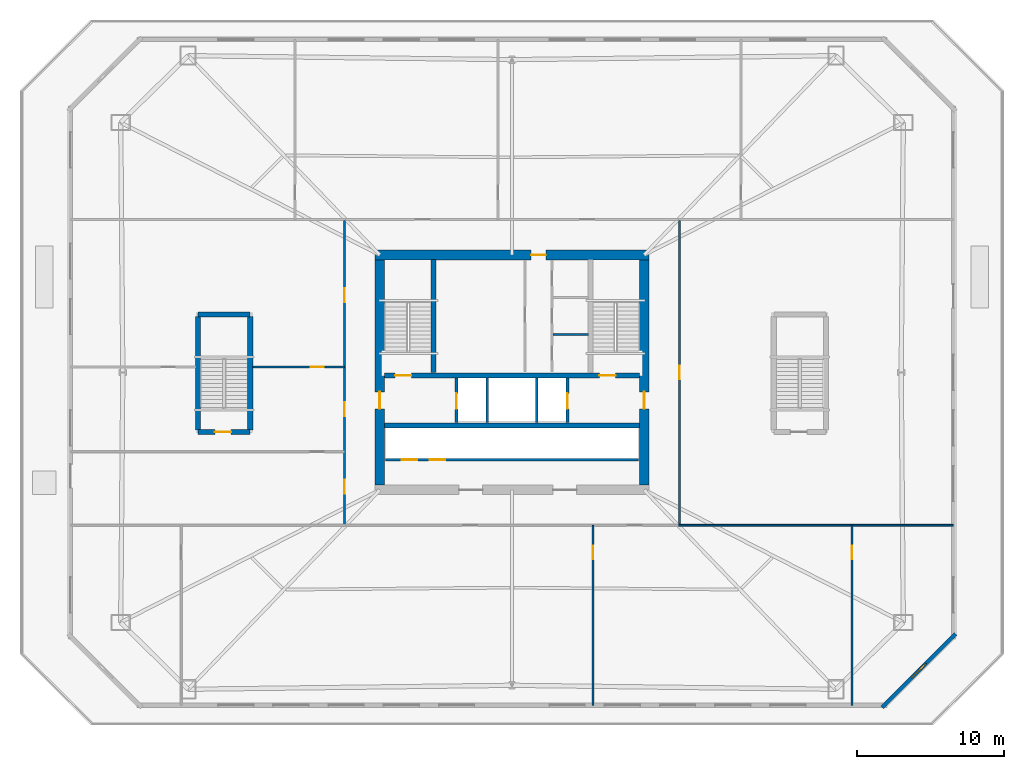
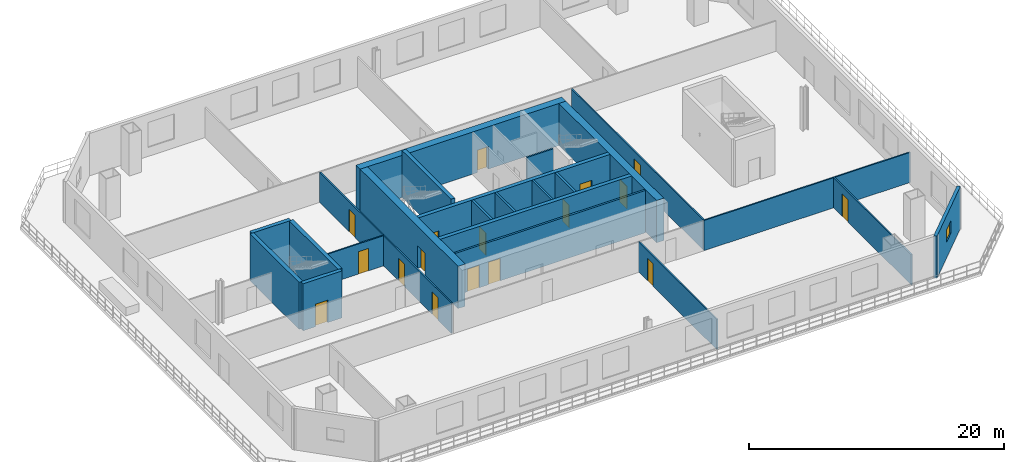
# One storey, part 3 of 8: 23 walls, 17 doors, 1 window, 18 openings.
"""IFC4 building model written with IfcOpenShell, lengths in metres."""

from ifc_helpers import new_model, si_unit, direction, frame, frame_2d, origin, place, context, subcontext, project, spatial, rectangle, extrude, material, layer, layer_set, type_object, element, fill, save


model = new_model("IFC4")

# Units and contexts
model_context = context("Model", 3, precision=1e-05, world=origin(), true_north=direction((0.0, 1.0)))
body_context = subcontext(model_context, "Body", "Model", "MODEL_VIEW")
ifc_project = project(units=[si_unit("LENGTHUNIT", "METRE"), si_unit("AREAUNIT", "SQUARE_METRE"), si_unit("VOLUMEUNIT", "CUBIC_METRE"), si_unit("PLANEANGLEUNIT", "RADIAN"), si_unit("MASSUNIT", "GRAM", prefix="KILO")], contexts=[model_context])

# Site, building, storey
site_placement = place(None, origin())
site = spatial("IfcSite", under=ifc_project, at=site_placement, CompositionType="ELEMENT")
building_placement = place(site_placement, origin())
building = spatial("IfcBuilding", under=site, at=building_placement, Name="Caelvoria Tower", CompositionType="ELEMENT")
storey_placement = place(building_placement, frame((0.0, 0.0, 18.5)))
storey = spatial("IfcBuildingStorey", under=building, at=storey_placement, Name="L04", CompositionType="ELEMENT", Elevation=18.5)

# Wall, openings, doors
ifc_material_1 = material(Name="Concrete C50/60", Category="concrete")
ifc_layer_1 = layer(ifc_material_1, 0.35009765625, Name="Concrete C50/60")
ifc_layer_set_1 = layer_set([ifc_layer_1], Name="Core Internal Shear Wall 350 - Concrete C50/60")
wall_type_1 = type_object("IfcWallType", Name="Core Internal Shear Wall 350", PredefinedType="SHEAR", material=ifc_layer_set_1)
wall_1_placement = place(storey_placement, frame((37.324951171875, 31.800048828125, 0.0), z_axis=(0.0, 0.0, 1.0), x_axis=(1.0, 0.0, 0.0)))
wall_1 = element("IfcWall", 1, at=wall_1_placement, inside=storey, type_object=wall_type_1, Name="Core Shear Wall L04 M1", PredefinedType="SHEAR", context=body_context, shape_type="SweptSolid", body=[
    extrude(rectangle(XDim=17.35009765625, YDim=0.35009765625, at=frame_2d((8.675048828125, 0.0))), origin(), (0.0, 0.0, 1.0), 4.050048828125),
])
opening_1_placement = place(wall_1_placement, frame((0.72509765625, 0.0, 0.0)))
opening_1 = element("IfcOpeningElement", 2, at=opening_1_placement, cuts=wall_1, Name="Opening ID-01", PredefinedType="OPENING", context=body_context, shape_type="SweptSolid", body=[
    extrude(rectangle(XDim=1.10009765625, YDim=2.14990234375, at=frame_2d((0.550048828125, 1.074951171875))), frame((0.0, 0.18505859375, 0.0), z_axis=(0.0, -1.0, 0.0), x_axis=(1.0, 0.0, 0.0)), (0.0, 0.0, 1.0), 0.3701171875),
])
opening_2_placement = place(wall_1_placement, frame((14.625, 0.0, 0.0)))
opening_2 = element("IfcOpeningElement", 3, at=opening_2_placement, cuts=wall_1, Name="Opening ID-01", PredefinedType="OPENING", context=body_context, shape_type="SweptSolid", body=[
    extrude(rectangle(XDim=1.10009765625, YDim=2.14990234375, at=frame_2d((0.550048828125, 1.074951171875))), frame((0.0, 0.18505859375, 0.0), z_axis=(0.0, -1.0, 0.0), x_axis=(1.0, 0.0, 0.0)), (0.0, 0.0, 1.0), 0.3701171875),
])
ifc_material_2 = material(Name="Painted Hollow Steel Fire Door", Category="steel")
door_type_1 = type_object("IfcDoorType", Name="Fire Door FD90S 1100x2150", OperationType="NOTDEFINED", PredefinedType="DOOR", material=ifc_material_2)
door_1_placement = place(opening_1_placement, origin())
door_1 = element("IfcDoor", 4, at=door_1_placement, inside=storey, type_object=door_type_1, Name="Core Door DR-L04-ST1", OperationType="SINGLE_SWING_LEFT", OverallHeight=2.14990234375, OverallWidth=1.10009765625, PredefinedType="DOOR", context=body_context, shape_type="SweptSolid", body=[
    extrude(rectangle(XDim=1.10009765625, YDim=2.14990234375, at=frame_2d((0.550048828125, 1.074951171875))), frame((0.0, 0.02490234375, 0.0), z_axis=(0.0, -1.0, 0.0), x_axis=(1.0, 0.0, 0.0)), (0.0, 0.0, 1.0), 0.050048828125),
])
fill(opening_1, door_1)
door_2_placement = place(opening_2_placement, origin())
door_2 = element("IfcDoor", 5, at=door_2_placement, inside=storey, type_object=door_type_1, Name="Core Door DR-L04-ST2", OperationType="SINGLE_SWING_RIGHT", OverallHeight=2.14990234375, OverallWidth=1.10009765625, PredefinedType="DOOR", context=body_context, shape_type="SweptSolid", body=[
    extrude(rectangle(XDim=1.10009765625, YDim=2.14990234375, at=frame_2d((0.550048828125, 1.074951171875))), frame((0.0, 0.02490234375, 0.0), z_axis=(0.0, -1.0, 0.0), x_axis=(1.0, 0.0, 0.0)), (0.0, 0.0, 1.0), 0.050048828125),
])
fill(opening_2, door_2)

# Walls
wall_2_placement = place(storey_placement, frame((37.324951171875, 28.39990234375, 0.0), z_axis=(0.0, 0.0, 1.0), x_axis=(1.0, 0.0, 0.0)))
element("IfcWall", 6, at=wall_2_placement, inside=storey, type_object=wall_type_1, Name="Core Shear Wall L04 M2", PredefinedType="SHEAR", context=body_context, shape_type="SweptSolid", body=[
    extrude(rectangle(XDim=17.35009765625, YDim=0.35009765625, at=frame_2d((8.675048828125, 0.0))), origin(), (0.0, 0.0, 1.0), 4.050048828125),
])
wall_3_placement = place(storey_placement, frame((40.64990234375, 32.0, 0.0), z_axis=(0.0, 0.0, 1.0), x_axis=(0.0, 1.0, 0.0)))
element("IfcWall", 7, at=wall_3_placement, inside=storey, type_object=wall_type_1, Name="Interior Partition IW-L04-ST1E", PredefinedType="SHEAR", context=body_context, shape_type="SweptSolid", body=[
    extrude(rectangle(XDim=7.699951171875, YDim=0.35009765625, at=frame_2d((3.85009765625, 0.0))), origin(), (0.0, 0.0, 1.0), 4.5),
])

# Wall, opening, door
wall_4_placement = place(storey_placement, frame((24.625, 27.949951171875, 0.0), z_axis=(0.0, 0.0, 1.0), x_axis=(1.0, 0.0, 0.0)))
wall_4 = element("IfcWall", 8, at=wall_4_placement, inside=storey, type_object=wall_type_1, Name="Podium Stair Shear Wall L04 ST3 S", PredefinedType="SHEAR", context=body_context, shape_type="SweptSolid", body=[
    extrude(rectangle(XDim=3.550048828125, YDim=0.35009765625, at=frame_2d((1.77490234375, 0.0))), origin(), (0.0, 0.0, 1.0), 4.5),
])
opening_3_placement = place(wall_4_placement, frame((1.14990234375, 0.0, 0.0)))
opening_3 = element("IfcOpeningElement", 9, at=opening_3_placement, cuts=wall_4, Name="Opening ID-01", PredefinedType="OPENING", context=body_context, shape_type="SweptSolid", body=[
    extrude(rectangle(XDim=1.10009765625, YDim=2.14990234375, at=frame_2d((0.550048828125, 1.074951171875))), frame((0.0, 0.18505859375, 0.0), z_axis=(0.0, -1.0, 0.0), x_axis=(1.0, 0.0, 0.0)), (0.0, 0.0, 1.0), 0.3701171875),
])
door_3_placement = place(opening_3_placement, origin())
door_3 = element("IfcDoor", 10, at=door_3_placement, inside=storey, type_object=door_type_1, Name="Podium Stair Door L04 ST3", OperationType="SINGLE_SWING_RIGHT", OverallHeight=2.14990234375, OverallWidth=1.10009765625, PredefinedType="DOOR", context=body_context, shape_type="SweptSolid", body=[
    extrude(rectangle(XDim=1.10009765625, YDim=2.14990234375, at=frame_2d((0.550048828125, 1.074951171875))), frame((0.0, 0.02490234375, 0.0), z_axis=(0.0, -1.0, 0.0), x_axis=(1.0, 0.0, 0.0)), (0.0, 0.0, 1.0), 0.050048828125),
])
fill(opening_3, door_3)

# Walls
wall_5_placement = place(storey_placement, frame((24.625, 35.949951171875, 0.0), z_axis=(0.0, 0.0, 1.0), x_axis=(1.0, 0.0, 0.0)))
element("IfcWall", 11, at=wall_5_placement, inside=storey, type_object=wall_type_1, Name="Podium Stair Shear Wall L04 ST3 N", PredefinedType="SHEAR", context=body_context, shape_type="SweptSolid", body=[
    extrude(rectangle(XDim=3.550048828125, YDim=0.35009765625, at=frame_2d((1.77490234375, 0.0))), origin(), (0.0, 0.0, 1.0), 4.5),
])
for number, where, z_axis, x_axis, name in (
    (12, (24.625, 28.10009765625, 0.0), (0.0, 0.0, 1.0), (0.0, 1.0, 0.0), "Podium Stair Shear Wall L04 ST3 W"),
    (13, (28.175048828125, 28.10009765625, 0.0), (0.0, 0.0, 1.0), (0.0, 1.0, 0.0), "Podium Stair Shear Wall L04 ST3 E"),
):
    element("IfcWall", number, at=place(storey_placement, frame(where, z_axis=z_axis, x_axis=x_axis)), inside=storey, type_object=wall_type_1, Name=name, PredefinedType="SHEAR", context=body_context, shape_type="SweptSolid", body=[
        extrude(rectangle(XDim=7.699951171875, YDim=0.35009765625, at=frame_2d((3.85009765625, 0.0))), origin(), (0.0, 0.0, 1.0), 4.5),
    ])
ifc_material_3 = material(Name="Moisture-Resistant Gypsum on Steel Stud", Category="steel")
ifc_layer_2 = layer(ifc_material_3, 0.139892578125, Name="Moisture-Resistant Gypsum on Steel Stud")
ifc_layer_set_2 = layer_set([ifc_layer_2], Name="Core Sanitary Acoustic Partition Wall 140 - Moisture-Resistant Gypsum on Steel Stud")
wall_type_2 = type_object("IfcWallType", Name="Core Sanitary Acoustic Partition Wall 140", PredefinedType="PARTITIONING", material=ifc_layer_set_2)
wall_6_placement = place(storey_placement, frame((48.800048828125, 34.580078125, 0.0), z_axis=(0.0, 0.0, 1.0), x_axis=(1.0, 0.0, 0.0)))
element("IfcWall", 14, at=wall_6_placement, inside=storey, type_object=wall_type_2, Name="Interior Partition IW-L04-C2H1", PredefinedType="PARTITIONING", context=body_context, shape_type="SweptSolid", body=[
    extrude(rectangle(XDim=2.39990234375, YDim=0.139892578125, at=frame_2d((1.199951171875, 0.0))), origin(), (0.0, 0.0, 1.0), 4.050048828125),
])

# Wall, opening, window
ifc_material_4 = material(Name="Precast Concrete C40/50 with Bronze Cladding", Category="concrete")
ifc_layer_3 = layer(ifc_material_4, 0.280029296875, Name="Precast Concrete C40/50 with Bronze Cladding")
ifc_layer_set_3 = layer_set([ifc_layer_3], Name="Exterior Precast Concrete C40/50 Bronze-Clad Facade Wall 280 - Precast Concrete C40/50 with Bronze Cladding")
wall_type_3 = type_object("IfcWallType", Name="Exterior Precast Concrete C40/50 Bronze-Clad Facade Wall 280", PredefinedType="STANDARD", material=ifc_layer_set_3)
wall_7_placement = place(storey_placement, frame((71.201904296875, 9.199951171875, 0.0), z_axis=(0.0, 0.0, 1.0), x_axis=(0.707106781187, 0.707106781187, 0.0)))
wall_7 = element("IfcWall", 15, at=wall_7_placement, inside=storey, type_object=wall_type_3, Name="Exterior Facade Wall L04-E1", PredefinedType="STANDARD", context=body_context, shape_type="SweptSolid", body=[
    extrude(rectangle(XDim=7.068359375, YDim=0.280029296875, at=frame_2d((3.5341796875, 0.0))), origin(), (0.0, 0.0, 1.0), 4.050048828125),
])
opening_4_placement = place(wall_7_placement, frame((2.833984375, 0.0, 1.5)))
opening_4 = element("IfcOpeningElement", 16, at=opening_4_placement, cuts=wall_7, Name="Opening WN-06", PredefinedType="OPENING", context=body_context, shape_type="SweptSolid", body=[
    extrude(rectangle(XDim=1.39990234375, YDim=1.199951171875, at=frame_2d((0.699951171875, 0.60009765625))), frame((0.0, 0.14990234375, 0.0), z_axis=(0.0, -1.0, 0.0), x_axis=(1.0, 0.0, 0.0)), (0.0, 0.0, 1.0), 0.300048828125),
])
ifc_material_5 = material(Name="Low-E Tinted Glass in Bronze Aluminium Frame", Category="aluminium")
window_type = type_object("IfcWindowType", Name="Podium Clerestory Window 1400x1200", PartitioningType="SINGLE_PANEL", PredefinedType="WINDOW", material=ifc_material_5)
window_placement = place(opening_4_placement, origin())
window = element("IfcWindow", 17, at=window_placement, inside=storey, type_object=window_type, Name="Facade Window L04-E1-00", OverallHeight=1.199951171875, OverallWidth=1.39990234375, PartitioningType="SINGLE_PANEL", PredefinedType="WINDOW", context=body_context, shape_type="SweptSolid", body=[
    extrude(rectangle(XDim=1.39990234375, YDim=1.199951171875, at=frame_2d((0.699951171875, 0.60009765625))), frame((0.0, 0.030029296875, 0.0), z_axis=(0.0, -1.0, 0.0), x_axis=(1.0, 0.0, 0.0)), (0.0, 0.0, 1.0), 0.06005859375),
])
fill(opening_4, window)

# Walls
ifc_material_6 = material(Name="Concrete Block and Fireboard Assembly", Category="concrete")
ifc_layer_4 = layer(ifc_material_6, 0.179931640625, Name="Concrete Block and Fireboard Assembly")
ifc_layer_set_4 = layer_set([ifc_layer_4], Name="Fire-Rated Hoistway Partition Wall 180 - Concrete Block and Fireboard Assembly")
wall_type_4 = type_object("IfcWallType", Name="Fire-Rated Hoistway Partition Wall 180", PredefinedType="PARTITIONING", material=ifc_layer_set_4)
for number, where, z_axis, x_axis, name in (
    (18, (44.320068359375, 28.580078125, 0.0), (0.0, 0.0, 1.0), (0.0, 1.0, 0.0), "Interior Partition IW-L04-SV1W"),
    (19, (47.679931640625, 28.580078125, 0.0), (0.0, 0.0, 1.0), (0.0, 1.0, 0.0), "Interior Partition IW-L04-SV1E"),
):
    element("IfcWall", number, at=place(storey_placement, frame(where, z_axis=z_axis, x_axis=x_axis)), inside=storey, type_object=wall_type_4, Name=name, PredefinedType="PARTITIONING", context=body_context, shape_type="SweptSolid", body=[
        extrude(rectangle(XDim=3.0400390625, YDim=0.179931640625, at=frame_2d((1.52001953125, 0.0))), origin(), (0.0, 0.0, 1.0), 4.050048828125),
    ])

# Wall, openings, doors
wall_8_placement = place(storey_placement, frame((37.39990234375, 26.050048828125, 0.0), z_axis=(0.0, 0.0, 1.0), x_axis=(1.0, 0.0, 0.0)))
wall_8 = element("IfcWall", 20, at=wall_8_placement, inside=storey, type_object=wall_type_4, Name="Interior Partition IW-L04-LFRONT", PredefinedType="PARTITIONING", context=body_context, shape_type="SweptSolid", body=[
    extrude(rectangle(XDim=17.2001953125, YDim=0.179931640625, at=frame_2d((8.60009765625, 0.0))), origin(), (0.0, 0.0, 1.0), 4.050048828125),
])
opening_5_placement = place(wall_8_placement, frame((1.10009765625, 0.0, 0.0)))
opening_5 = element("IfcOpeningElement", 21, at=opening_5_placement, cuts=wall_8, Name="Opening LD-01", PredefinedType="OPENING", context=body_context, shape_type="SweptSolid", body=[
    extrude(rectangle(XDim=1.050048828125, YDim=2.14990234375, at=frame_2d((0.52490234375, 1.074951171875))), frame((0.0, 0.099853515625, 0.0), z_axis=(0.0, -1.0, 0.0), x_axis=(1.0, 0.0, 0.0)), (0.0, 0.0, 1.0), 0.199951171875),
])
opening_6_placement = place(wall_8_placement, frame((3.0, 0.0, 0.0)))
opening_6 = element("IfcOpeningElement", 22, at=opening_6_placement, cuts=wall_8, Name="Opening LD-01", PredefinedType="OPENING", context=body_context, shape_type="SweptSolid", body=[
    extrude(rectangle(XDim=1.050048828125, YDim=2.14990234375, at=frame_2d((0.52490234375, 1.074951171875))), frame((0.0, 0.099853515625, 0.0), z_axis=(0.0, -1.0, 0.0), x_axis=(1.0, 0.0, 0.0)), (0.0, 0.0, 1.0), 0.199951171875),
])
ifc_material_7 = material(Name="Brushed Bronze Stainless Sliding Landing Door", Category="aluminium")
door_type_2 = type_object("IfcDoorType", Name="Lift Landing Sliding Door 1100x2150", OperationType="NOTDEFINED", PredefinedType="DOOR", material=ifc_material_7)
door_4_placement = place(opening_5_placement, origin())
door_4 = element("IfcDoor", 23, at=door_4_placement, inside=storey, type_object=door_type_2, Name="Interior Door LD-L04-PL1", OperationType="SLIDING_TO_LEFT", OverallHeight=2.14990234375, OverallWidth=1.050048828125, PredefinedType="DOOR", context=body_context, shape_type="SweptSolid", body=[
    extrude(rectangle(XDim=1.050048828125, YDim=2.14990234375, at=frame_2d((0.52490234375, 1.074951171875))), frame((0.0, 0.02490234375, 0.0), z_axis=(0.0, -1.0, 0.0), x_axis=(1.0, 0.0, 0.0)), (0.0, 0.0, 1.0), 0.050048828125),
])
fill(opening_5, door_4)
door_5_placement = place(opening_6_placement, origin())
door_5 = element("IfcDoor", 24, at=door_5_placement, inside=storey, type_object=door_type_2, Name="Interior Door LD-L04-PL2", OperationType="SLIDING_TO_RIGHT", OverallHeight=2.14990234375, OverallWidth=1.050048828125, PredefinedType="DOOR", context=body_context, shape_type="SweptSolid", body=[
    extrude(rectangle(XDim=1.050048828125, YDim=2.14990234375, at=frame_2d((0.52490234375, 1.074951171875))), frame((0.0, 0.02490234375, 0.0), z_axis=(0.0, -1.0, 0.0), x_axis=(1.0, 0.0, 0.0)), (0.0, 0.0, 1.0), 0.050048828125),
])
fill(opening_6, door_5)

# Wall, opening, door
ifc_layer_5 = layer(ifc_material_6, 0.199951171875, Name="Concrete Block and Fireboard Assembly")
ifc_layer_set_5 = layer_set([ifc_layer_5], Name="Fire-Rated Shaft and Core Partition Wall 200 - Concrete Block and Fireboard Assembly")
wall_type_5 = type_object("IfcWallType", Name="Fire-Rated Shaft and Core Partition Wall 200", PredefinedType="PARTITIONING", material=ifc_layer_set_5)
wall_9_placement = place(storey_placement, frame((42.219970703125, 28.580078125, 0.0), z_axis=(0.0, 0.0, 1.0), x_axis=(0.0, 1.0, 0.0)))
wall_9 = element("IfcWall", 25, at=wall_9_placement, inside=storey, type_object=wall_type_5, Name="Interior Partition IW-L04-LF1W", PredefinedType="PARTITIONING", context=body_context, shape_type="SweptSolid", body=[
    extrude(rectangle(XDim=3.0400390625, YDim=0.199951171875, at=frame_2d((1.52001953125, 0.0))), origin(), (0.0, 0.0, 1.0), 4.050048828125),
])
opening_7_placement = place(wall_9_placement, frame((0.949951171875, 0.0, 0.0)))
opening_7 = element("IfcOpeningElement", 26, at=opening_7_placement, cuts=wall_9, Name="Opening LD-01", PredefinedType="OPENING", context=body_context, shape_type="SweptSolid", body=[
    extrude(rectangle(XDim=1.050048828125, YDim=2.14990234375, at=frame_2d((0.52490234375, 1.074951171875))), frame((0.0, 0.10986328125, 0.0), z_axis=(0.0, -1.0, 0.0), x_axis=(1.0, 0.0, 0.0)), (0.0, 0.0, 1.0), 0.219970703125),
])
door_6_placement = place(opening_7_placement, origin())
door_6 = element("IfcDoor", 27, at=door_6_placement, inside=storey, type_object=door_type_2, Name="Interior Door LD-L04-LF1", OperationType="SLIDING_TO_LEFT", OverallHeight=2.14990234375, OverallWidth=1.050048828125, PredefinedType="DOOR", context=body_context, shape_type="SweptSolid", body=[
    extrude(rectangle(XDim=1.050048828125, YDim=2.14990234375, at=frame_2d((0.52490234375, 1.074951171875))), frame((0.0, 0.02490234375, 0.0), z_axis=(0.0, -1.0, 0.0), x_axis=(1.0, 0.0, 0.0)), (0.0, 0.0, 1.0), 0.050048828125),
])
fill(opening_7, door_6)

wall_10_placement = place(storey_placement, frame((49.780029296875, 28.580078125, 0.0), z_axis=(0.0, 0.0, 1.0), x_axis=(0.0, 1.0, 0.0)))
wall_10 = element("IfcWall", 28, at=wall_10_placement, inside=storey, type_object=wall_type_5, Name="Interior Partition IW-L04-LF2E", PredefinedType="PARTITIONING", context=body_context, shape_type="SweptSolid", body=[
    extrude(rectangle(XDim=3.0400390625, YDim=0.199951171875, at=frame_2d((1.52001953125, 0.0))), origin(), (0.0, 0.0, 1.0), 4.050048828125),
])
opening_8_placement = place(wall_10_placement, frame((0.949951171875, 0.0, 0.0)))
opening_8 = element("IfcOpeningElement", 29, at=opening_8_placement, cuts=wall_10, Name="Opening LD-01", PredefinedType="OPENING", context=body_context, shape_type="SweptSolid", body=[
    extrude(rectangle(XDim=1.050048828125, YDim=2.14990234375, at=frame_2d((0.52490234375, 1.074951171875))), frame((0.0, 0.10986328125, 0.0), z_axis=(0.0, -1.0, 0.0), x_axis=(1.0, 0.0, 0.0)), (0.0, 0.0, 1.0), 0.219970703125),
])
door_7_placement = place(opening_8_placement, origin())
door_7 = element("IfcDoor", 30, at=door_7_placement, inside=storey, type_object=door_type_2, Name="Interior Door LD-L04-LF2", OperationType="SLIDING_TO_RIGHT", OverallHeight=2.14990234375, OverallWidth=1.050048828125, PredefinedType="DOOR", context=body_context, shape_type="SweptSolid", body=[
    extrude(rectangle(XDim=1.050048828125, YDim=2.14990234375, at=frame_2d((0.52490234375, 1.074951171875))), frame((0.0, 0.02490234375, 0.0), z_axis=(0.0, -1.0, 0.0), x_axis=(1.0, 0.0, 0.0)), (0.0, 0.0, 1.0), 0.050048828125),
])
fill(opening_8, door_7)

ifc_material_8 = material(Name="Concrete C60/75", Category="concrete")
ifc_layer_6 = layer(ifc_material_8, 0.64990234375, Name="Concrete C60/75")
ifc_layer_set_6 = layer_set([ifc_layer_6], Name="Lower Core Shear Wall 650 - Concrete C60/75")
wall_type_6 = type_object("IfcWallType", Name="Lower Core Shear Wall 650", PredefinedType="SHEAR", material=ifc_layer_set_6)
wall_11_placement = place(storey_placement, frame((36.675048828125, 40.0, 0.0), z_axis=(0.0, 0.0, 1.0), x_axis=(1.0, 0.0, 0.0)))
wall_11 = element("IfcWall", 31, at=wall_11_placement, inside=storey, type_object=wall_type_6, Name="Core Shear Wall L04 N", PredefinedType="SHEAR", context=body_context, shape_type="SweptSolid", body=[
    extrude(rectangle(XDim=18.64990234375, YDim=0.64990234375, at=frame_2d((9.324951171875, 0.0))), origin(), (0.0, 0.0, 1.0), 4.050048828125),
])
opening_9_placement = place(wall_11_placement, frame((10.625, 0.0, 0.0)))
opening_9 = element("IfcOpeningElement", 32, at=opening_9_placement, cuts=wall_11, Name="Opening ID-03", PredefinedType="OPENING", context=body_context, shape_type="SweptSolid", body=[
    extrude(rectangle(XDim=1.0, YDim=2.14990234375, at=frame_2d((0.5, 1.074951171875))), frame((0.0, 0.3349609375, 0.0), z_axis=(0.0, -1.0, 0.0), x_axis=(1.0, 0.0, 0.0)), (0.0, 0.0, 1.0), 0.669921875),
])
door_type_3 = type_object("IfcDoorType", Name="Fire Door FD60S 1000x2150", OperationType="NOTDEFINED", PredefinedType="DOOR", material=ifc_material_2)
door_8_placement = place(opening_9_placement, origin())
door_8 = element("IfcDoor", 33, at=door_8_placement, inside=storey, type_object=door_type_3, Name="Core Door DR-L04-WC-MAIN", OperationType="SINGLE_SWING_RIGHT", OverallHeight=2.14990234375, OverallWidth=1.0, PredefinedType="DOOR", context=body_context, shape_type="SweptSolid", body=[
    extrude(rectangle(XDim=1.0, YDim=2.14990234375, at=frame_2d((0.5, 1.074951171875))), frame((0.0, 0.02490234375, 0.0), z_axis=(0.0, -1.0, 0.0), x_axis=(1.0, 0.0, 0.0)), (0.0, 0.0, 1.0), 0.050048828125),
])
fill(opening_9, door_8)

wall_12_placement = place(storey_placement, frame((37.0, 24.324951171875, 0.0), z_axis=(0.0, 0.0, 1.0), x_axis=(0.0, 1.0, 0.0)))
wall_12 = element("IfcWall", 34, at=wall_12_placement, inside=storey, type_object=wall_type_6, Name="Core Shear Wall L04 W", PredefinedType="SHEAR", context=body_context, shape_type="SweptSolid", body=[
    extrude(rectangle(XDim=15.35009765625, YDim=0.64990234375, at=frame_2d((7.675048828125, 0.0))), origin(), (0.0, 0.0, 1.0), 4.050048828125),
])
opening_10_placement = place(wall_12_placement, frame((5.199951171875, 0.0, 0.0)))
opening_10 = element("IfcOpeningElement", 35, at=opening_10_placement, cuts=wall_12, Name="Opening ID-02", PredefinedType="OPENING", context=body_context, shape_type="SweptSolid", body=[
    extrude(rectangle(XDim=1.14990234375, YDim=2.14990234375, at=frame_2d((0.574951171875, 1.074951171875))), frame((0.0, 0.3349609375, 0.0), z_axis=(0.0, -1.0, 0.0), x_axis=(1.0, 0.0, 0.0)), (0.0, 0.0, 1.0), 0.669921875),
])
door_type_4 = type_object("IfcDoorType", Name="Fire Door FD60S 1150x2150", OperationType="NOTDEFINED", PredefinedType="DOOR", material=ifc_material_2)
door_9_placement = place(opening_10_placement, origin())
door_9 = element("IfcDoor", 36, at=door_9_placement, inside=storey, type_object=door_type_4, Name="Core Door DR-L04-FFLW-OUT", OperationType="SINGLE_SWING_LEFT", OverallHeight=2.14990234375, OverallWidth=1.14990234375, PredefinedType="DOOR", context=body_context, shape_type="SweptSolid", body=[
    extrude(rectangle(XDim=1.14990234375, YDim=2.14990234375, at=frame_2d((0.574951171875, 1.074951171875))), frame((0.0, 0.02490234375, 0.0), z_axis=(0.0, -1.0, 0.0), x_axis=(1.0, 0.0, 0.0)), (0.0, 0.0, 1.0), 0.050048828125),
])
fill(opening_10, door_9)

wall_13_placement = place(storey_placement, frame((55.0, 24.324951171875, 0.0), z_axis=(0.0, 0.0, 1.0), x_axis=(0.0, 1.0, 0.0)))
wall_13 = element("IfcWall", 37, at=wall_13_placement, inside=storey, type_object=wall_type_6, Name="Core Shear Wall L04 E", PredefinedType="SHEAR", context=body_context, shape_type="SweptSolid", body=[
    extrude(rectangle(XDim=15.35009765625, YDim=0.64990234375, at=frame_2d((7.675048828125, 0.0))), origin(), (0.0, 0.0, 1.0), 4.050048828125),
])
opening_11_placement = place(wall_13_placement, frame((5.199951171875, 0.0, 0.0)))
opening_11 = element("IfcOpeningElement", 38, at=opening_11_placement, cuts=wall_13, Name="Opening ID-02", PredefinedType="OPENING", context=body_context, shape_type="SweptSolid", body=[
    extrude(rectangle(XDim=1.14990234375, YDim=2.14990234375, at=frame_2d((0.574951171875, 1.074951171875))), frame((0.0, 0.3349609375, 0.0), z_axis=(0.0, -1.0, 0.0), x_axis=(1.0, 0.0, 0.0)), (0.0, 0.0, 1.0), 0.669921875),
])
door_10_placement = place(opening_11_placement, origin())
door_10 = element("IfcDoor", 39, at=door_10_placement, inside=storey, type_object=door_type_4, Name="Core Door DR-L04-FFLE-OUT", OperationType="SINGLE_SWING_RIGHT", OverallHeight=2.14990234375, OverallWidth=1.14990234375, PredefinedType="DOOR", context=body_context, shape_type="SweptSolid", body=[
    extrude(rectangle(XDim=1.14990234375, YDim=2.14990234375, at=frame_2d((0.574951171875, 1.074951171875))), frame((0.0, 0.02490234375, 0.0), z_axis=(0.0, -1.0, 0.0), x_axis=(1.0, 0.0, 0.0)), (0.0, 0.0, 1.0), 0.050048828125),
])
fill(opening_11, door_10)

ifc_material_9 = material(Name="Acoustic Gypsum Board on Light-Gauge Stud", Category="gypsum")
ifc_layer_7 = layer(ifc_material_9, 0.1201171875, Name="Acoustic Gypsum Board on Light-Gauge Stud")
ifc_layer_set_7 = layer_set([ifc_layer_7], Name="Tenant Suite Acoustic Partition Wall 120 - Acoustic Gypsum Board on Light-Gauge Stud")
wall_type_7 = type_object("IfcWallType", Name="Tenant Suite Acoustic Partition Wall 120", PredefinedType="PARTITIONING", material=ifc_layer_set_7)
wall_14_placement = place(storey_placement, frame((51.515380859375, 21.590087890625, 0.0), z_axis=(0.0, 0.0, 1.0), x_axis=(0.0, -1.0, 0.0)))
wall_14 = element("IfcWall", 40, at=wall_14_placement, inside=storey, type_object=wall_type_7, Name="Interior Partition IW-L04-SD-01-0", PredefinedType="PARTITIONING", context=body_context, shape_type="SweptSolid", body=[
    extrude(rectangle(XDim=12.25, YDim=0.1201171875, at=frame_2d((6.125, 0.0))), origin(), (0.0, 0.0, 1.0), 2.889892578125),
])
opening_12_placement = place(wall_14_placement, frame((1.39990234375, 0.0, 0.0)))
opening_12 = element("IfcOpeningElement", 41, at=opening_12_placement, cuts=wall_14, Name="Opening ID-06", PredefinedType="OPENING", context=body_context, shape_type="SweptSolid", body=[
    extrude(rectangle(XDim=0.89990234375, YDim=2.14990234375, at=frame_2d((0.449951171875, 1.074951171875))), frame((0.0, 0.070068359375, 0.0), z_axis=(0.0, -1.0, 0.0), x_axis=(1.0, 0.0, 0.0)), (0.0, 0.0, 1.0), 0.14013671875),
])
ifc_material_10 = material(Name="Engineered Andean Oak Veneer Door", Category="wood")
door_type_5 = type_object("IfcDoorType", Name="Interior Timber Door 900x2150", OperationType="NOTDEFINED", PredefinedType="DOOR", material=ifc_material_10)
door_11_placement = place(opening_12_placement, origin())
door_11 = element("IfcDoor", 42, at=door_11_placement, inside=storey, type_object=door_type_5, Name="Interior Door DR-L04-SM-01-0", OperationType="SINGLE_SWING_LEFT", OverallHeight=2.14990234375, OverallWidth=0.89990234375, PredefinedType="DOOR", context=body_context, shape_type="SweptSolid", body=[
    extrude(rectangle(XDim=0.89990234375, YDim=2.14990234375, at=frame_2d((0.449951171875, 1.074951171875))), frame((0.0, 0.02490234375, 0.0), z_axis=(0.0, -1.0, 0.0), x_axis=(1.0, 0.0, 0.0)), (0.0, 0.0, 1.0), 0.050048828125),
])
fill(opening_12, door_11)

wall_15_placement = place(storey_placement, frame((69.1513671875, 21.590087890625, 0.0), z_axis=(0.0, 0.0, 1.0), x_axis=(0.0, -1.0, 0.0)))
wall_15 = element("IfcWall", 43, at=wall_15_placement, inside=storey, type_object=wall_type_7, Name="Interior Partition IW-L04-SD-02-0", PredefinedType="PARTITIONING", context=body_context, shape_type="SweptSolid", body=[
    extrude(rectangle(XDim=12.25, YDim=0.1201171875, at=frame_2d((6.125, 0.0))), origin(), (0.0, 0.0, 1.0), 2.889892578125),
])
opening_13_placement = place(wall_15_placement, frame((1.39990234375, 0.0, 0.0)))
opening_13 = element("IfcOpeningElement", 44, at=opening_13_placement, cuts=wall_15, Name="Opening ID-06", PredefinedType="OPENING", context=body_context, shape_type="SweptSolid", body=[
    extrude(rectangle(XDim=0.89990234375, YDim=2.14990234375, at=frame_2d((0.449951171875, 1.074951171875))), frame((0.0, 0.070068359375, 0.0), z_axis=(0.0, -1.0, 0.0), x_axis=(1.0, 0.0, 0.0)), (0.0, 0.0, 1.0), 0.14013671875),
])
door_12_placement = place(opening_13_placement, origin())
door_12 = element("IfcDoor", 45, at=door_12_placement, inside=storey, type_object=door_type_5, Name="Interior Door DR-L04-SM-02-0", OperationType="SINGLE_SWING_RIGHT", OverallHeight=2.14990234375, OverallWidth=0.89990234375, PredefinedType="DOOR", context=body_context, shape_type="SweptSolid", body=[
    extrude(rectangle(XDim=0.89990234375, YDim=2.14990234375, at=frame_2d((0.449951171875, 1.074951171875))), frame((0.0, 0.02490234375, 0.0), z_axis=(0.0, -1.0, 0.0), x_axis=(1.0, 0.0, 0.0)), (0.0, 0.0, 1.0), 0.050048828125),
])
fill(opening_13, door_12)

wall_16_placement = place(storey_placement, frame((34.590087890625, 32.378173828125, 0.0), z_axis=(0.0, 0.0, 1.0), x_axis=(-1.0, 0.0, 0.0)))
wall_16 = element("IfcWall", 46, at=wall_16_placement, inside=storey, type_object=wall_type_7, Name="Interior Partition IW-L04-WD-01-0", PredefinedType="PARTITIONING", context=body_context, shape_type="SweptSolid", body=[
    extrude(rectangle(XDim=6.239990234375, YDim=0.1201171875, at=frame_2d((3.1201171875, 0.0))), origin(), (0.0, 0.0, 1.0), 2.889892578125),
])
opening_14_placement = place(wall_16_placement, frame((1.39990234375, 0.0, 0.0)))
opening_14 = element("IfcOpeningElement", 47, at=opening_14_placement, cuts=wall_16, Name="Opening ID-06", PredefinedType="OPENING", context=body_context, shape_type="SweptSolid", body=[
    extrude(rectangle(XDim=0.89990234375, YDim=2.14990234375, at=frame_2d((0.449951171875, 1.074951171875))), frame((0.0, 0.070068359375, 0.0), z_axis=(0.0, -1.0, 0.0), x_axis=(1.0, 0.0, 0.0)), (0.0, 0.0, 1.0), 0.14013671875),
])
door_13_placement = place(opening_14_placement, origin())
door_13 = element("IfcDoor", 48, at=door_13_placement, inside=storey, type_object=door_type_5, Name="Interior Door DR-L04-WM-01-0", OperationType="SINGLE_SWING_LEFT", OverallHeight=2.14990234375, OverallWidth=0.89990234375, PredefinedType="DOOR", context=body_context, shape_type="SweptSolid", body=[
    extrude(rectangle(XDim=0.89990234375, YDim=2.14990234375, at=frame_2d((0.449951171875, 1.074951171875))), frame((0.0, 0.02490234375, 0.0), z_axis=(0.0, -1.0, 0.0), x_axis=(1.0, 0.0, 0.0)), (0.0, 0.0, 1.0), 0.050048828125),
])
fill(opening_14, door_13)

# Wall, openings, doors
wall_17_placement = place(storey_placement, frame((34.590087890625, 21.64990234375, 0.0), z_axis=(0.0, 0.0, 1.0), x_axis=(0.0, 1.0, 0.0)))
wall_17 = element("IfcWall", 49, at=wall_17_placement, inside=storey, type_object=wall_type_7, Name="Interior Partition IW-L04-WCW-0", PredefinedType="PARTITIONING", context=body_context, shape_type="SweptSolid", body=[
    extrude(rectangle(XDim=20.7001953125, YDim=0.1201171875, at=frame_2d((10.35009765625, 0.0))), origin(), (0.0, 0.0, 1.0), 2.889892578125),
])
opening_15_placement = place(wall_17_placement, frame((2.104736328125, 0.0, 0.0)))
opening_15 = element("IfcOpeningElement", 50, at=opening_15_placement, cuts=wall_17, Name="Opening ID-05", PredefinedType="OPENING", context=body_context, shape_type="SweptSolid", body=[
    extrude(rectangle(XDim=0.949951171875, YDim=2.14990234375, at=frame_2d((0.47509765625, 1.074951171875))), frame((0.0, 0.070068359375, 0.0), z_axis=(0.0, -1.0, 0.0), x_axis=(1.0, 0.0, 0.0)), (0.0, 0.0, 1.0), 0.14013671875),
])
opening_16_placement = place(wall_17_placement, frame((7.368896484375, 0.0, 0.0)))
opening_16 = element("IfcOpeningElement", 51, at=opening_16_placement, cuts=wall_17, Name="Opening ID-05", PredefinedType="OPENING", context=body_context, shape_type="SweptSolid", body=[
    extrude(rectangle(XDim=0.949951171875, YDim=2.14990234375, at=frame_2d((0.47509765625, 1.074951171875))), frame((0.0, 0.070068359375, 0.0), z_axis=(0.0, -1.0, 0.0), x_axis=(1.0, 0.0, 0.0)), (0.0, 0.0, 1.0), 0.14013671875),
])
opening_17_placement = place(wall_17_placement, frame((15.13916015625, 0.0, 0.0)))
opening_17 = element("IfcOpeningElement", 52, at=opening_17_placement, cuts=wall_17, Name="Opening ID-05", PredefinedType="OPENING", context=body_context, shape_type="SweptSolid", body=[
    extrude(rectangle(XDim=0.949951171875, YDim=2.14990234375, at=frame_2d((0.47509765625, 1.074951171875))), frame((0.0, 0.070068359375, 0.0), z_axis=(0.0, -1.0, 0.0), x_axis=(1.0, 0.0, 0.0)), (0.0, 0.0, 1.0), 0.14013671875),
])
door_type_6 = type_object("IfcDoorType", Name="Interior Timber Door 950x2150", OperationType="NOTDEFINED", PredefinedType="DOOR", material=ifc_material_10)
door_14_placement = place(opening_15_placement, origin())
door_14 = element("IfcDoor", 53, at=door_14_placement, inside=storey, type_object=door_type_6, Name="Interior Door DR-L04-WC-00-0", OperationType="SINGLE_SWING_LEFT", OverallHeight=2.14990234375, OverallWidth=0.949951171875, PredefinedType="DOOR", context=body_context, shape_type="SweptSolid", body=[
    extrude(rectangle(XDim=0.949951171875, YDim=2.14990234375, at=frame_2d((0.47509765625, 1.074951171875))), frame((0.0, 0.02490234375, 0.0), z_axis=(0.0, -1.0, 0.0), x_axis=(1.0, 0.0, 0.0)), (0.0, 0.0, 1.0), 0.050048828125),
])
fill(opening_15, door_14)
door_15_placement = place(opening_16_placement, origin())
door_15 = element("IfcDoor", 54, at=door_15_placement, inside=storey, type_object=door_type_6, Name="Interior Door DR-L04-WC-01-0", OperationType="SINGLE_SWING_RIGHT", OverallHeight=2.14990234375, OverallWidth=0.949951171875, PredefinedType="DOOR", context=body_context, shape_type="SweptSolid", body=[
    extrude(rectangle(XDim=0.949951171875, YDim=2.14990234375, at=frame_2d((0.47509765625, 1.074951171875))), frame((0.0, 0.02490234375, 0.0), z_axis=(0.0, -1.0, 0.0), x_axis=(1.0, 0.0, 0.0)), (0.0, 0.0, 1.0), 0.050048828125),
])
fill(opening_16, door_15)
door_16_placement = place(opening_17_placement, origin())
door_16 = element("IfcDoor", 55, at=door_16_placement, inside=storey, type_object=door_type_6, Name="Interior Door DR-L04-WC-02-0", OperationType="SINGLE_SWING_LEFT", OverallHeight=2.14990234375, OverallWidth=0.949951171875, PredefinedType="DOOR", context=body_context, shape_type="SweptSolid", body=[
    extrude(rectangle(XDim=0.949951171875, YDim=2.14990234375, at=frame_2d((0.47509765625, 1.074951171875))), frame((0.0, 0.02490234375, 0.0), z_axis=(0.0, -1.0, 0.0), x_axis=(1.0, 0.0, 0.0)), (0.0, 0.0, 1.0), 0.050048828125),
])
fill(opening_17, door_16)

# Wall, opening, door
wall_18_placement = place(storey_placement, frame((57.409912109375, 21.64990234375, 0.0), z_axis=(0.0, 0.0, 1.0), x_axis=(0.0, 1.0, 0.0)))
wall_18 = element("IfcWall", 56, at=wall_18_placement, inside=storey, type_object=wall_type_7, Name="Interior Partition IW-L04-ECW-0", PredefinedType="PARTITIONING", context=body_context, shape_type="SweptSolid", body=[
    extrude(rectangle(XDim=20.7001953125, YDim=0.1201171875, at=frame_2d((10.35009765625, 0.0))), origin(), (0.0, 0.0, 1.0), 2.889892578125),
])
opening_18_placement = place(wall_18_placement, frame((9.875, 0.0, 0.0)))
opening_18 = element("IfcOpeningElement", 57, at=opening_18_placement, cuts=wall_18, Name="Opening ID-05", PredefinedType="OPENING", context=body_context, shape_type="SweptSolid", body=[
    extrude(rectangle(XDim=0.949951171875, YDim=2.14990234375, at=frame_2d((0.47509765625, 1.074951171875))), frame((0.0, 0.070068359375, 0.0), z_axis=(0.0, -1.0, 0.0), x_axis=(1.0, 0.0, 0.0)), (0.0, 0.0, 1.0), 0.14013671875),
])
door_17_placement = place(opening_18_placement, origin())
door_17 = element("IfcDoor", 58, at=door_17_placement, inside=storey, type_object=door_type_6, Name="Interior Door DR-L04-EC-00-0", OperationType="SINGLE_SWING_LEFT", OverallHeight=2.14990234375, OverallWidth=0.949951171875, PredefinedType="DOOR", context=body_context, shape_type="SweptSolid", body=[
    extrude(rectangle(XDim=0.949951171875, YDim=2.14990234375, at=frame_2d((0.47509765625, 1.074951171875))), frame((0.0, 0.02490234375, 0.0), z_axis=(0.0, -1.0, 0.0), x_axis=(1.0, 0.0, 0.0)), (0.0, 0.0, 1.0), 0.050048828125),
])
fill(opening_18, door_17)

# Wall
wall_19_placement = place(storey_placement, frame((57.35009765625, 21.590087890625, 0.0), z_axis=(0.0, 0.0, 1.0), x_axis=(1.0, 0.0, 0.0)))
element("IfcWall", 59, at=wall_19_placement, inside=storey, type_object=wall_type_7, Name="Interior Partition IW-L04-BSE-0", PredefinedType="PARTITIONING", context=body_context, shape_type="SweptSolid", body=[
    extrude(rectangle(XDim=18.7099609375, YDim=0.1201171875, at=frame_2d((9.35498046875, 0.0))), origin(), (0.0, 0.0, 1.0), 2.889892578125),
])

save(model, "model.ifc")
